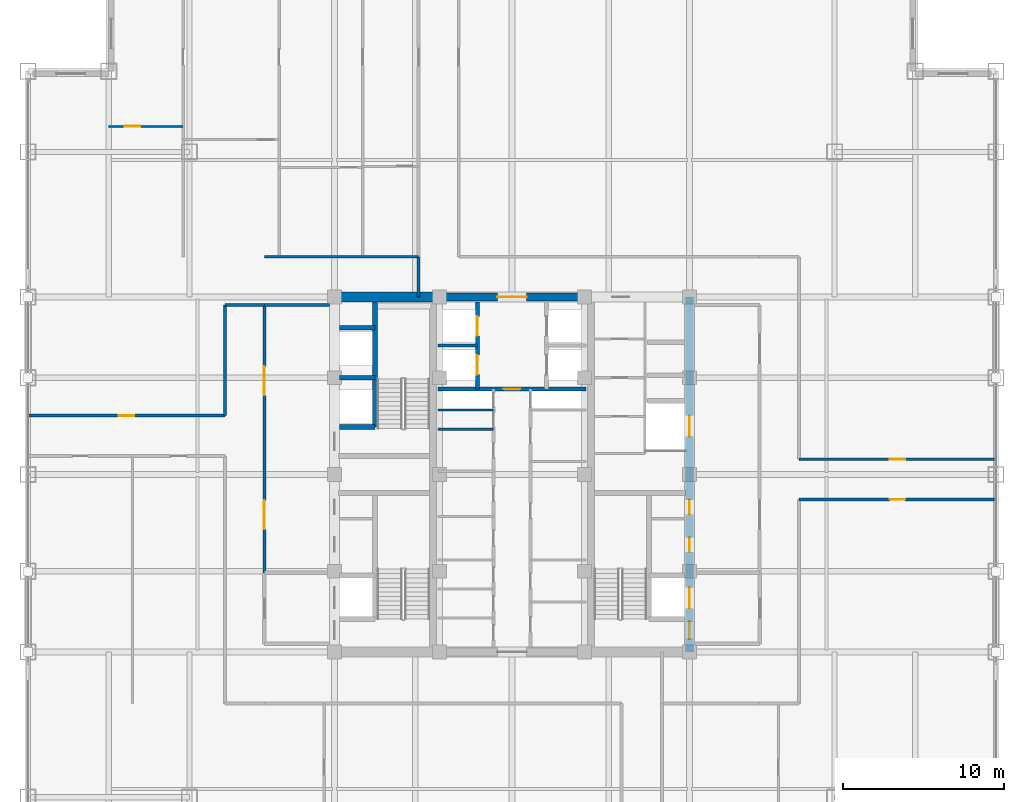
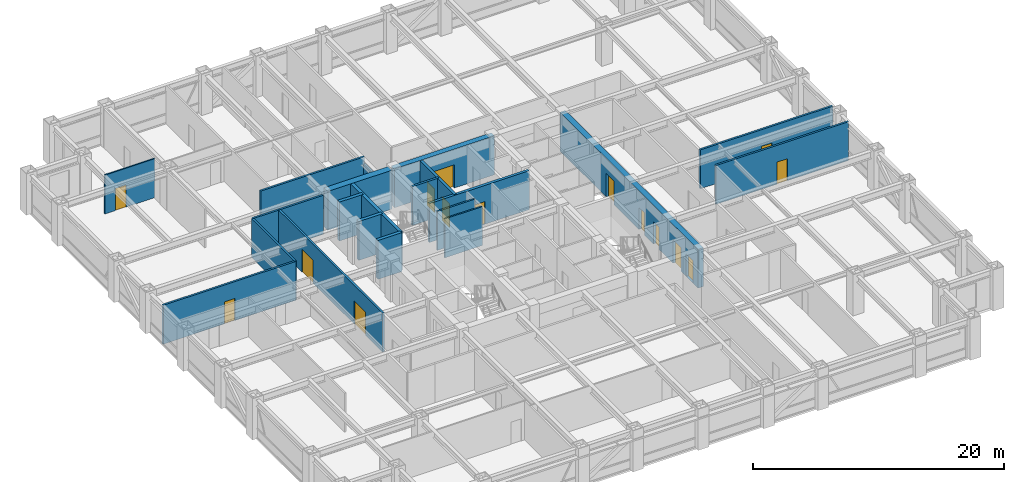
# One storey, part 22 of 29: 22 walls, 15 doors, 15 openings.
"""IFC4 building model written with IfcOpenShell, lengths in metres."""

from ifc_helpers import new_model, si_unit, direction, frame, frame_2d, origin, place, context, subcontext, project, spatial, rectangle, extrude, source, transform, mapped, material, layer, layer_set, type_object, element, fill, save


model = new_model("IFC4")

# Units and contexts
model_context = context("Model", 3, precision=1e-05, world=origin(), true_north=direction((0.0, 1.0)))
body_context = subcontext(model_context, "Body", "Model", "MODEL_VIEW")
ifc_project = project(units=[si_unit("LENGTHUNIT", "METRE"), si_unit("AREAUNIT", "SQUARE_METRE"), si_unit("VOLUMEUNIT", "CUBIC_METRE"), si_unit("PLANEANGLEUNIT", "RADIAN"), si_unit("MASSUNIT", "GRAM", prefix="KILO")], contexts=[model_context])

# Site, building, storey
site_placement = place(None, origin())
site = spatial("IfcSite", under=ifc_project, at=site_placement, CompositionType="ELEMENT")
building_placement = place(site_placement, origin())
building = spatial("IfcBuilding", under=site, at=building_placement, Name="Khorayat Bourse Tower", CompositionType="ELEMENT")
storey_placement = place(building_placement, frame((0.0, 0.0, 243.10009765625)))
storey = spatial("IfcBuildingStorey", under=building, at=storey_placement, Name="L57", CompositionType="ELEMENT", Elevation=243.10009765625)

# Wall, opening, door
ifc_material_1 = material(Name="Concrete C52/65", Category="concrete")
ifc_layer_1 = layer(ifc_material_1, 0.5)
ifc_layer_set_1 = layer_set([ifc_layer_1], Name="Concrete C52/65")
wall_type_1 = type_object("IfcWallType", Name="WAL-CORE-500", PredefinedType="SHEAR", material=ifc_layer_set_1)
shared_shape_1 = source(origin(), body_context, "Body", "SweptSolid", [
    extrude(rectangle(XDim=9.2001953125, YDim=0.5, at=frame_2d((4.60009765625, 0.0))), origin(), (0.0, 0.0, 1.0), 3.77978515625),
])
wall_1_placement = place(storey_placement, frame((-4.60009765625, 11.0, 0.0), z_axis=(0.0, 0.0, 1.0), x_axis=(1.0, 0.0, 0.0)))
wall_1 = element("IfcWall", 1, at=wall_1_placement, inside=storey, type_object=wall_type_1, Name="L57 Core Shear Wall CORE-N", PredefinedType="SHEAR", context=body_context, shape_type="MappedRepresentation", body=[
    mapped(shared_shape_1, transform((0.0, 0.0, 0.0), scale=1.0)),
])
shared_shape_2 = source(origin(), body_context, "Body", "SweptSolid", [
    extrude(rectangle(XDim=1.800048828125, YDim=2.25, at=frame_2d((0.89990234375, 1.125))), frame((0.0, 0.260009765625, 0.0), z_axis=(0.0, -1.0, 0.0), x_axis=(1.0, 0.0, 0.0)), (0.0, 0.0, 1.0), 0.52001953125),
])
opening_1_placement = place(wall_1_placement, frame((3.699951171875, 0.0, 0.0)))
opening_1 = element("IfcOpeningElement", 2, at=opening_1_placement, cuts=wall_1, Name="Opening DI-03", PredefinedType="OPENING", context=body_context, shape_type="MappedRepresentation", body=[
    mapped(shared_shape_2, transform((0.0, 0.0, 0.0), scale=1.0)),
])
ifc_material_2 = material(Name="Fire-rated hardwood vision-panel double leaf", Category="wood")
door_type_1 = type_object("IfcDoorType", Name="DR-INT-CORR-1800", OperationType="NOTDEFINED", PredefinedType="DOOR", material=ifc_material_2)
shared_shape_3 = source(origin(), body_context, "Body", "SweptSolid", [
    extrude(rectangle(XDim=1.800048828125, YDim=2.25, at=frame_2d((0.89990234375, 1.125))), frame((0.0, 0.02490234375, 0.0), z_axis=(0.0, -1.0, 0.0), x_axis=(1.0, 0.0, 0.0)), (0.0, 0.0, 1.0), 0.050048828125),
])
door_1_placement = place(opening_1_placement, origin())
door_1 = element("IfcDoor", 3, at=door_1_placement, inside=storey, type_object=door_type_1, Name="L57 Mid-Rise Lift Lobby Door", OperationType="SINGLE_SWING_RIGHT", OverallHeight=2.25, OverallWidth=1.800048828125, PredefinedType="DOOR", context=body_context, shape_type="MappedRepresentation", body=[
    mapped(shared_shape_3, transform((0.0, 0.0, 0.0), scale=1.0)),
])
fill(opening_1, door_1)

# Wall, openings, doors
shared_shape_4 = source(origin(), body_context, "Body", "SweptSolid", [
    extrude(rectangle(XDim=22.0, YDim=0.5, at=frame_2d((11.0, 0.0))), origin(), (0.0, 0.0, 1.0), 3.77978515625),
])
wall_2_placement = place(storey_placement, frame((11.0, -11.0, 0.0), z_axis=(0.0, 0.0, 1.0), x_axis=(0.0, 1.0, 0.0)))
wall_2 = element("IfcWall", 4, at=wall_2_placement, inside=storey, type_object=wall_type_1, Name="L57 Core Shear Wall CORE-E", PredefinedType="SHEAR", context=body_context, shape_type="MappedRepresentation", body=[
    mapped(shared_shape_4, transform((0.0, 0.0, 0.0), scale=1.0)),
])
shared_shape_5 = source(origin(), body_context, "Body", "SweptSolid", [
    extrude(rectangle(XDim=1.10009765625, YDim=2.199951171875, at=frame_2d((0.550048828125, 1.10009765625))), frame((0.0, 0.260009765625, 0.0), z_axis=(0.0, -1.0, 0.0), x_axis=(1.0, 0.0, 0.0)), (0.0, 0.0, 1.0), 0.52001953125),
])
opening_2_placement = place(wall_2_placement, frame((0.800048828125, 0.0, 0.0)))
opening_2 = element("IfcOpeningElement", 5, at=opening_2_placement, cuts=wall_2, Name="Opening DI-01", PredefinedType="OPENING", context=body_context, shape_type="MappedRepresentation", body=[
    mapped(shared_shape_5, transform((0.0, 0.0, 0.0), scale=1.0)),
])
shared_shape_6 = source(origin(), body_context, "Body", "SweptSolid", [
    extrude(rectangle(XDim=0.89990234375, YDim=2.14990234375, at=frame_2d((0.449951171875, 1.074951171875))), frame((0.0, 0.260009765625, 0.0), z_axis=(0.0, -1.0, 0.0), x_axis=(1.0, 0.0, 0.0)), (0.0, 0.0, 1.0), 0.52001953125),
])
opening_3_placement = place(wall_2_placement, frame((6.199951171875, 0.0, 0.0)))
opening_3 = element("IfcOpeningElement", 6, at=opening_3_placement, cuts=wall_2, Name="Opening DI-06", PredefinedType="OPENING", context=body_context, shape_type="MappedRepresentation", body=[
    mapped(shared_shape_6, transform((0.0, 0.0, 0.0), scale=1.0)),
])
opening_4_placement = place(wall_2_placement, frame((8.52490234375, 0.0, 0.0)))
opening_4 = element("IfcOpeningElement", 7, at=opening_4_placement, cuts=wall_2, Name="Opening DI-06", PredefinedType="OPENING", context=body_context, shape_type="MappedRepresentation", body=[
    mapped(shared_shape_6, transform((0.0, 0.0, 0.0), scale=1.0)),
])
shared_shape_7 = source(origin(), body_context, "Body", "SweptSolid", [
    extrude(rectangle(XDim=1.300048828125, YDim=2.300048828125, at=frame_2d((0.64990234375, 1.14990234375))), frame((0.0, 0.260009765625, 0.0), z_axis=(0.0, -1.0, 0.0), x_axis=(1.0, 0.0, 0.0)), (0.0, 0.0, 1.0), 0.52001953125),
])
opening_5_placement = place(wall_2_placement, frame((2.699951171875, 0.0, 0.0)))
opening_5 = element("IfcOpeningElement", 8, at=opening_5_placement, cuts=wall_2, Name="Opening LD-02", PredefinedType="OPENING", context=body_context, shape_type="MappedRepresentation", body=[
    mapped(shared_shape_7, transform((0.0, 0.0, 0.0), scale=1.0)),
])
opening_6_placement = place(wall_2_placement, frame((13.35009765625, 0.0, 0.0)))
opening_6 = element("IfcOpeningElement", 9, at=opening_6_placement, cuts=wall_2, Name="Opening LD-02", PredefinedType="OPENING", context=body_context, shape_type="MappedRepresentation", body=[
    mapped(shared_shape_7, transform((0.0, 0.0, 0.0), scale=1.0)),
])
ifc_material_3 = material(Name="Fire-rated steel acoustic leaf", Category="steel")
door_type_2 = type_object("IfcDoorType", Name="DR-INT-STAIR-1100", OperationType="NOTDEFINED", PredefinedType="DOOR", material=ifc_material_3)
shared_shape_8 = source(origin(), body_context, "Body", "SweptSolid", [
    extrude(rectangle(XDim=1.10009765625, YDim=2.199951171875, at=frame_2d((0.550048828125, 1.10009765625))), frame((0.0, 0.02490234375, 0.0), z_axis=(0.0, -1.0, 0.0), x_axis=(1.0, 0.0, 0.0)), (0.0, 0.0, 1.0), 0.050048828125),
])
door_2_placement = place(opening_2_placement, origin())
door_2 = element("IfcDoor", 10, at=door_2_placement, inside=storey, type_object=door_type_2, Name="L57 Exit Stair 3 Door", OperationType="SINGLE_SWING_LEFT", OverallHeight=2.199951171875, OverallWidth=1.10009765625, PredefinedType="DOOR", context=body_context, shape_type="MappedRepresentation", body=[
    mapped(shared_shape_8, transform((0.0, 0.0, 0.0), scale=1.0)),
])
fill(opening_2, door_2)
ifc_material_4 = material(Name="Moisture-resistant laminate washroom door")
door_type_3 = type_object("IfcDoorType", Name="DR-INT-WC-900", OperationType="NOTDEFINED", PredefinedType="DOOR", material=ifc_material_4)
shared_shape_9 = source(origin(), body_context, "Body", "SweptSolid", [
    extrude(rectangle(XDim=0.89990234375, YDim=2.14990234375, at=frame_2d((0.449951171875, 1.074951171875))), frame((0.0, 0.02490234375, 0.0), z_axis=(0.0, -1.0, 0.0), x_axis=(1.0, 0.0, 0.0)), (0.0, 0.0, 1.0), 0.050048828125),
])
door_3_placement = place(opening_3_placement, origin())
door_3 = element("IfcDoor", 11, at=door_3_placement, inside=storey, type_object=door_type_3, Name="L57 Telecom Closet Door", OperationType="SINGLE_SWING_LEFT", OverallHeight=2.14990234375, OverallWidth=0.89990234375, PredefinedType="DOOR", context=body_context, shape_type="MappedRepresentation", body=[
    mapped(shared_shape_9, transform((0.0, 0.0, 0.0), scale=1.0)),
])
fill(opening_3, door_3)
door_4_placement = place(opening_4_placement, origin())
door_4 = element("IfcDoor", 12, at=door_4_placement, inside=storey, type_object=door_type_3, Name="L57 Stationery Store Door", OperationType="SINGLE_SWING_RIGHT", OverallHeight=2.14990234375, OverallWidth=0.89990234375, PredefinedType="DOOR", context=body_context, shape_type="MappedRepresentation", body=[
    mapped(shared_shape_9, transform((0.0, 0.0, 0.0), scale=1.0)),
])
fill(opening_4, door_4)
ifc_material_5 = material(Name="Fire-rated stainless-steel sliding landing door", Category="steel")
door_type_4 = type_object("IfcDoorType", Name="DR-LIFT-FF-1300", OperationType="NOTDEFINED", PredefinedType="DOOR", material=ifc_material_5)
shared_shape_10 = source(origin(), body_context, "Body", "SweptSolid", [
    extrude(rectangle(XDim=1.300048828125, YDim=2.300048828125, at=frame_2d((0.64990234375, 1.14990234375))), frame((0.0, 0.02490234375, 0.0), z_axis=(0.0, -1.0, 0.0), x_axis=(1.0, 0.0, 0.0)), (0.0, 0.0, 1.0), 0.050048828125),
])
door_5_placement = place(opening_5_placement, origin())
door_5 = element("IfcDoor", 13, at=door_5_placement, inside=storey, type_object=door_type_4, Name="L57 Lift FFL-02 Sliding Landing Door", OperationType="SLIDING_TO_LEFT", OverallHeight=2.300048828125, OverallWidth=1.300048828125, PredefinedType="DOOR", context=body_context, shape_type="MappedRepresentation", body=[
    mapped(shared_shape_10, transform((0.0, 0.0, 0.0), scale=1.0)),
])
fill(opening_5, door_5)
door_6_placement = place(opening_6_placement, origin())
door_6 = element("IfcDoor", 14, at=door_6_placement, inside=storey, type_object=door_type_4, Name="L57 Lift SVL-01 Sliding Landing Door", OperationType="SLIDING_TO_LEFT", OverallHeight=2.300048828125, OverallWidth=1.300048828125, PredefinedType="DOOR", context=body_context, shape_type="MappedRepresentation", body=[
    mapped(shared_shape_10, transform((0.0, 0.0, 0.0), scale=1.0)),
])
fill(opening_6, door_6)

# Walls
ifc_material_6 = material(Name="Concrete C60/75", Category="concrete")
ifc_layer_2 = layer(ifc_material_6, 0.60009765625)
ifc_layer_set_2 = layer_set([ifc_layer_2], Name="Concrete C60/75")
wall_type_2 = type_object("IfcWallType", Name="WAL-CORE-600", PredefinedType="SHEAR", material=ifc_layer_set_2)
shared_shape_11 = source(origin(), body_context, "Body", "SweptSolid", [
    extrude(rectangle(XDim=5.89990234375, YDim=0.60009765625, at=frame_2d((2.949951171875, 0.0))), origin(), (0.0, 0.0, 1.0), 3.77978515625),
])
wall_3_placement = place(storey_placement, frame((-10.75, 11.0, 0.0), z_axis=(0.0, 0.0, 1.0), x_axis=(1.0, 0.0, 0.0)))
element("IfcWall", 15, at=wall_3_placement, inside=storey, type_object=wall_type_2, Name="L57 Core Shear Wall PIER-WN", PredefinedType="SHEAR", context=body_context, shape_type="MappedRepresentation", body=[
    mapped(shared_shape_11, transform((0.0, 0.0, 0.0), scale=1.0)),
])
ifc_material_7 = material(Name="Concrete C50/60", Category="concrete")
ifc_layer_3 = layer(ifc_material_7, 0.300048828125)
ifc_layer_set_3 = layer_set([ifc_layer_3], Name="Concrete C50/60")
wall_type_3 = type_object("IfcWallType", Name="WAL-SHAFT-300", PredefinedType="SHEAR", material=ifc_layer_set_3)
shared_shape_12 = source(origin(), body_context, "Body", "SweptSolid", [
    extrude(rectangle(XDim=2.199951171875, YDim=0.300048828125, at=frame_2d((1.10009765625, 0.0))), origin(), (0.0, 0.0, 1.0), 3.77978515625),
])
for number, where, z_axis, x_axis, name in (
    (16, (-10.699951171875, 2.949951171875, 0.0), (0.0, 0.0, 1.0), (1.0, 0.0, 0.0), "L57 Partition WAL-L57-WPIER-H1S"),
    (17, (-10.699951171875, 6.0, 0.0), (0.0, 0.0, 1.0), (1.0, 0.0, 0.0), "L57 Partition WAL-L57-WPIER-H12"),
    (18, (-10.699951171875, 9.10009765625, 0.0), (0.0, 0.0, 1.0), (1.0, 0.0, 0.0), "L57 Partition WAL-L57-WPIER-H2N"),
):
    element("IfcWall", number, at=place(storey_placement, frame(where, z_axis=z_axis, x_axis=x_axis)), inside=storey, type_object=wall_type_3, Name=name, PredefinedType="SHEAR", context=body_context, shape_type="MappedRepresentation", body=[
        mapped(shared_shape_12, transform((0.0, 0.0, 0.0), scale=1.0)),
    ])
shared_shape_13 = source(origin(), body_context, "Body", "SweptSolid", [
    extrude(rectangle(XDim=7.75, YDim=0.300048828125, at=frame_2d((3.875, 0.0))), origin(), (0.0, 0.0, 1.0), 3.77978515625),
])
wall_4_placement = place(storey_placement, frame((-8.5, 2.949951171875, 0.0), z_axis=(0.0, 0.0, 1.0), x_axis=(0.0, 1.0, 0.0)))
element("IfcWall", 19, at=wall_4_placement, inside=storey, type_object=wall_type_3, Name="L57 Partition WAL-L57-WPIER-ST2S", PredefinedType="SHEAR", context=body_context, shape_type="MappedRepresentation", body=[
    mapped(shared_shape_13, transform((0.0, 0.0, 0.0), scale=1.0)),
])
ifc_material_8 = material(Name="Gypsum plasterboard acoustic stud wall")
ifc_layer_4 = layer(ifc_material_8, 0.179931640625)
ifc_layer_set_4 = layer_set([ifc_layer_4], Name="Gypsum plasterboard acoustic stud wall")
wall_type_4 = type_object("IfcWallType", Name="WAL-PART-CORR-180", PredefinedType="PARTITIONING", material=ifc_layer_set_4)
shared_shape_14 = source(origin(), body_context, "Body", "SweptSolid", [
    extrude(rectangle(XDim=4.050048828125, YDim=0.179931640625, at=frame_2d((2.02490234375, 0.0))), origin(), (0.0, 0.0, 1.0), 3.77978515625),
])
wall_5_placement = place(storey_placement, frame((-15.35009765625, 10.5, 0.0), z_axis=(0.0, 0.0, 1.0), x_axis=(1.0, 0.0, 0.0)))
element("IfcWall", 20, at=wall_5_placement, inside=storey, type_object=wall_type_4, Name="L57 Partition WAL-L57-WLOB-N", PredefinedType="PARTITIONING", context=body_context, shape_type="MappedRepresentation", body=[
    mapped(shared_shape_14, transform((0.0, 0.0, 0.0), scale=1.0)),
])

# Wall, openings, doors
shared_shape_15 = source(origin(), body_context, "Body", "SweptSolid", [
    extrude(rectangle(XDim=16.60009765625, YDim=0.179931640625, at=frame_2d((8.300048828125, 0.0))), origin(), (0.0, 0.0, 1.0), 3.77978515625),
])
wall_6_placement = place(storey_placement, frame((-15.35009765625, -6.10009765625, 0.0), z_axis=(0.0, 0.0, 1.0), x_axis=(0.0, 1.0, 0.0)))
wall_6 = element("IfcWall", 21, at=wall_6_placement, inside=storey, type_object=wall_type_4, Name="L57 Partition WAL-L57-WLOB-W", PredefinedType="PARTITIONING", context=body_context, shape_type="MappedRepresentation", body=[
    mapped(shared_shape_15, transform((0.0, 0.0, 0.0), scale=1.0)),
])
shared_shape_16 = source(origin(), body_context, "Body", "SweptSolid", [
    extrude(rectangle(XDim=1.800048828125, YDim=2.25, at=frame_2d((0.89990234375, 1.125))), frame((0.0, 0.099853515625, 0.0), z_axis=(0.0, -1.0, 0.0), x_axis=(1.0, 0.0, 0.0)), (0.0, 0.0, 1.0), 0.199951171875),
])
opening_7_placement = place(wall_6_placement, frame((2.699951171875, 0.0, 0.0)))
opening_7 = element("IfcOpeningElement", 22, at=opening_7_placement, cuts=wall_6, Name="Opening DI-03", PredefinedType="OPENING", context=body_context, shape_type="MappedRepresentation", body=[
    mapped(shared_shape_16, transform((0.0, 0.0, 0.0), scale=1.0)),
])
opening_8_placement = place(wall_6_placement, frame((11.0, 0.0, 0.0)))
opening_8 = element("IfcOpeningElement", 23, at=opening_8_placement, cuts=wall_6, Name="Opening DI-03", PredefinedType="OPENING", context=body_context, shape_type="MappedRepresentation", body=[
    mapped(shared_shape_16, transform((0.0, 0.0, 0.0), scale=1.0)),
])
door_7_placement = place(opening_7_placement, origin())
door_7 = element("IfcDoor", 24, at=door_7_placement, inside=storey, type_object=door_type_1, Name="L57 West Core Lobby South Door", OperationType="SINGLE_SWING_LEFT", OverallHeight=2.25, OverallWidth=1.800048828125, PredefinedType="DOOR", context=body_context, shape_type="MappedRepresentation", body=[
    mapped(shared_shape_3, transform((0.0, 0.0, 0.0), scale=1.0)),
])
fill(opening_7, door_7)
door_8_placement = place(opening_8_placement, origin())
door_8 = element("IfcDoor", 25, at=door_8_placement, inside=storey, type_object=door_type_1, Name="L57 West Core Lobby North Door", OperationType="SINGLE_SWING_RIGHT", OverallHeight=2.25, OverallWidth=1.800048828125, PredefinedType="DOOR", context=body_context, shape_type="MappedRepresentation", body=[
    mapped(shared_shape_3, transform((0.0, 0.0, 0.0), scale=1.0)),
])
fill(opening_8, door_8)

# Walls
ifc_material_9 = material(Name="Gypsum plasterboard twin-frame partition")
ifc_layer_5 = layer(ifc_material_9, 0.14990234375)
ifc_layer_set_5 = layer_set([ifc_layer_5], Name="Gypsum plasterboard twin-frame partition")
wall_type_5 = type_object("IfcWallType", Name="WAL-PART-SUITE-150", PredefinedType="PARTITIONING", material=ifc_layer_set_5)
shared_shape_17 = source(origin(), body_context, "Body", "SweptSolid", [
    extrude(rectangle(XDim=3.4501953125, YDim=0.14990234375, at=frame_2d((1.72509765625, 0.0))), origin(), (0.0, 0.0, 1.0), 3.77978515625),
])
wall_7_placement = place(storey_placement, frame((-4.60009765625, 4.0, 0.0), z_axis=(0.0, 0.0, 1.0), x_axis=(1.0, 0.0, 0.0)))
element("IfcWall", 26, at=wall_7_placement, inside=storey, type_object=wall_type_5, Name="L57 Partition WAL-L57-CRSW-S", PredefinedType="PARTITIONING", context=body_context, shape_type="MappedRepresentation", body=[
    mapped(shared_shape_17, transform((0.0, 0.0, 0.0), scale=1.0)),
])
ifc_material_10 = material(Name="Moisture-resistant masonry partition", Category="masonry")
ifc_layer_6 = layer(ifc_material_10, 0.139892578125)
ifc_layer_set_6 = layer_set([ifc_layer_6], Name="Moisture-resistant masonry partition")
wall_type_6 = type_object("IfcWallType", Name="WAL-PART-WET-140", PredefinedType="PARTITIONING", material=ifc_layer_set_6)
shared_shape_18 = source(origin(), body_context, "Body", "SweptSolid", [
    extrude(rectangle(XDim=3.4501953125, YDim=0.139892578125, at=frame_2d((1.72509765625, 0.0))), origin(), (0.0, 0.0, 1.0), 3.77978515625),
])
wall_8_placement = place(storey_placement, frame((-4.60009765625, 2.800048828125, 0.0), z_axis=(0.0, 0.0, 1.0), x_axis=(1.0, 0.0, 0.0)))
element("IfcWall", 27, at=wall_8_placement, inside=storey, type_object=wall_type_6, Name="L57 Partition WAL-L57-CMW-D3", PredefinedType="PARTITIONING", context=body_context, shape_type="MappedRepresentation", body=[
    mapped(shared_shape_18, transform((0.0, 0.0, 0.0), scale=1.0)),
])

# Wall, openings, doors
shared_shape_19 = source(origin(), body_context, "Body", "SweptSolid", [
    extrude(rectangle(XDim=5.39990234375, YDim=0.25, at=frame_2d((2.699951171875, 0.0))), origin(), (0.0, 0.0, 1.0), 3.77978515625),
])
wall_9_placement = place(storey_placement, frame((-2.14990234375, 5.300048828125, 0.0), z_axis=(0.0, 0.0, 1.0), x_axis=(0.0, 1.0, 0.0)))
wall_9 = element("IfcWall", 28, at=wall_9_placement, inside=storey, type_object=wall_type_3, Name="L57 Partition WAL-L57-B2-W", PredefinedType="SHEAR", context=body_context, shape_type="MappedRepresentation", body=[
    mapped(shared_shape_19, transform((0.0, 0.0, 0.0), scale=1.0)),
])
shared_shape_20 = source(origin(), body_context, "Body", "SweptSolid", [
    extrude(rectangle(XDim=1.199951171875, YDim=2.300048828125, at=frame_2d((0.60009765625, 1.14990234375))), frame((0.0, 0.135009765625, 0.0), z_axis=(0.0, -1.0, 0.0), x_axis=(1.0, 0.0, 0.0)), (0.0, 0.0, 1.0), 0.27001953125),
])
opening_9_placement = place(wall_9_placement, frame((3.300048828125, 0.0, 0.0)))
opening_9 = element("IfcOpeningElement", 29, at=opening_9_placement, cuts=wall_9, Name="Opening LD-01", PredefinedType="OPENING", context=body_context, shape_type="MappedRepresentation", body=[
    mapped(shared_shape_20, transform((0.0, 0.0, 0.0), scale=1.0)),
])
opening_10_placement = place(wall_9_placement, frame((0.89990234375, 0.0, 0.0)))
opening_10 = element("IfcOpeningElement", 30, at=opening_10_placement, cuts=wall_9, Name="Opening LD-01", PredefinedType="OPENING", context=body_context, shape_type="MappedRepresentation", body=[
    mapped(shared_shape_20, transform((0.0, 0.0, 0.0), scale=1.0)),
])
ifc_material_11 = material(Name="Brushed bronze stainless-steel sliding door", Category="steel")
door_type_5 = type_object("IfcDoorType", Name="DR-LIFT-PASS-1200", OperationType="NOTDEFINED", PredefinedType="DOOR", material=ifc_material_11)
shared_shape_21 = source(origin(), body_context, "Body", "SweptSolid", [
    extrude(rectangle(XDim=1.199951171875, YDim=2.300048828125, at=frame_2d((0.60009765625, 1.14990234375))), frame((0.0, 0.02490234375, 0.0), z_axis=(0.0, -1.0, 0.0), x_axis=(1.0, 0.0, 0.0)), (0.0, 0.0, 1.0), 0.050048828125),
])
door_9_placement = place(opening_9_placement, origin())
door_9 = element("IfcDoor", 31, at=door_9_placement, inside=storey, type_object=door_type_5, Name="L57 Lift PL-M1 Sliding Landing Door", OperationType="SLIDING_TO_LEFT", OverallHeight=2.300048828125, OverallWidth=1.199951171875, PredefinedType="DOOR", context=body_context, shape_type="MappedRepresentation", body=[
    mapped(shared_shape_21, transform((0.0, 0.0, 0.0), scale=1.0)),
])
fill(opening_9, door_9)
door_10_placement = place(opening_10_placement, origin())
door_10 = element("IfcDoor", 32, at=door_10_placement, inside=storey, type_object=door_type_5, Name="L57 Lift PL-M3 Sliding Landing Door", OperationType="SLIDING_TO_LEFT", OverallHeight=2.300048828125, OverallWidth=1.199951171875, PredefinedType="DOOR", context=body_context, shape_type="MappedRepresentation", body=[
    mapped(shared_shape_21, transform((0.0, 0.0, 0.0), scale=1.0)),
])
fill(opening_10, door_10)

# Wall
shared_shape_22 = source(origin(), body_context, "Body", "SweptSolid", [
    extrude(rectangle(XDim=2.4501953125, YDim=0.199951171875, at=frame_2d((1.22509765625, 0.0))), origin(), (0.0, 0.0, 1.0), 3.77978515625),
])
wall_10_placement = place(storey_placement, frame((-4.60009765625, 8.0, 0.0), z_axis=(0.0, 0.0, 1.0), x_axis=(1.0, 0.0, 0.0)))
element("IfcWall", 33, at=wall_10_placement, inside=storey, type_object=wall_type_3, Name="L57 Partition WAL-L57-B2-MW", PredefinedType="SHEAR", context=body_context, shape_type="MappedRepresentation", body=[
    mapped(shared_shape_22, transform((0.0, 0.0, 0.0), scale=1.0)),
])

# Wall, opening, door
shared_shape_23 = source(origin(), body_context, "Body", "SweptSolid", [
    extrude(rectangle(XDim=9.2001953125, YDim=0.25, at=frame_2d((4.60009765625, 0.0))), origin(), (0.0, 0.0, 1.0), 3.77978515625),
])
wall_11_placement = place(storey_placement, frame((-4.60009765625, 5.300048828125, 0.0), z_axis=(0.0, 0.0, 1.0), x_axis=(1.0, 0.0, 0.0)))
wall_11 = element("IfcWall", 34, at=wall_11_placement, inside=storey, type_object=wall_type_3, Name="L57 Partition WAL-L57-B2-S", PredefinedType="SHEAR", context=body_context, shape_type="MappedRepresentation", body=[
    mapped(shared_shape_23, transform((0.0, 0.0, 0.0), scale=1.0)),
])
shared_shape_24 = source(origin(), body_context, "Body", "SweptSolid", [
    extrude(rectangle(XDim=1.050048828125, YDim=2.199951171875, at=frame_2d((0.52490234375, 1.10009765625))), frame((0.0, 0.135009765625, 0.0), z_axis=(0.0, -1.0, 0.0), x_axis=(1.0, 0.0, 0.0)), (0.0, 0.0, 1.0), 0.27001953125),
])
opening_11_placement = place(wall_11_placement, frame((4.074951171875, 0.0, 0.0)))
opening_11 = element("IfcOpeningElement", 35, at=opening_11_placement, cuts=wall_11, Name="Opening DI-04", PredefinedType="OPENING", context=body_context, shape_type="MappedRepresentation", body=[
    mapped(shared_shape_24, transform((0.0, 0.0, 0.0), scale=1.0)),
])
ifc_material_12 = material(Name="Fire-rated oak veneer suite entrance door")
door_type_6 = type_object("IfcDoorType", Name="DR-INT-SUITE-1050", OperationType="NOTDEFINED", PredefinedType="DOOR", material=ifc_material_12)
shared_shape_25 = source(origin(), body_context, "Body", "SweptSolid", [
    extrude(rectangle(XDim=1.050048828125, YDim=2.199951171875, at=frame_2d((0.52490234375, 1.10009765625))), frame((0.0, 0.02490234375, 0.0), z_axis=(0.0, -1.0, 0.0), x_axis=(1.0, 0.0, 0.0)), (0.0, 0.0, 1.0), 0.050048828125),
])
door_11_placement = place(opening_11_placement, origin())
door_11 = element("IfcDoor", 36, at=door_11_placement, inside=storey, type_object=door_type_6, Name="L57 Core Spine North Door", OperationType="SINGLE_SWING_RIGHT", OverallHeight=2.199951171875, OverallWidth=1.050048828125, PredefinedType="DOOR", context=body_context, shape_type="MappedRepresentation", body=[
    mapped(shared_shape_25, transform((0.0, 0.0, 0.0), scale=1.0)),
])
fill(opening_11, door_11)

# Wall
shared_shape_26 = source(origin(), body_context, "Body", "SweptSolid", [
    extrude(rectangle(XDim=2.449951171875, YDim=0.179931640625, at=frame_2d((1.22509765625, 0.0))), origin(), (0.0, 0.0, 1.0), 3.77978515625),
])
wall_12_placement = place(storey_placement, frame((-17.800048828125, 10.5, 0.0), z_axis=(0.0, 0.0, 1.0), x_axis=(1.0, 0.0, 0.0)))
element("IfcWall", 37, at=wall_12_placement, inside=storey, type_object=wall_type_4, Name="L57 Partition WAL-L57-C2-WN", PredefinedType="PARTITIONING", context=body_context, shape_type="MappedRepresentation", body=[
    mapped(shared_shape_26, transform((0.0, 0.0, 0.0), scale=1.0)),
])

# Wall, opening, door
shared_shape_27 = source(origin(), body_context, "Body", "SweptSolid", [
    extrude(rectangle(XDim=12.199951171875, YDim=0.179931640625, at=frame_2d((6.10009765625, 0.0))), origin(), (0.0, 0.0, 1.0), 3.77978515625),
])
wall_13_placement = place(storey_placement, frame((-30.0, 3.64990234375, 0.0), z_axis=(0.0, 0.0, 1.0), x_axis=(1.0, 0.0, 0.0)))
wall_13 = element("IfcWall", 38, at=wall_13_placement, inside=storey, type_object=wall_type_4, Name="L57 Partition WAL-L57-WN-SPK", PredefinedType="PARTITIONING", context=body_context, shape_type="MappedRepresentation", body=[
    mapped(shared_shape_27, transform((0.0, 0.0, 0.0), scale=1.0)),
])
shared_shape_28 = source(origin(), body_context, "Body", "SweptSolid", [
    extrude(rectangle(XDim=0.949951171875, YDim=2.14990234375, at=frame_2d((0.47509765625, 1.074951171875))), frame((0.0, 0.099853515625, 0.0), z_axis=(0.0, -1.0, 0.0), x_axis=(1.0, 0.0, 0.0)), (0.0, 0.0, 1.0), 0.199951171875),
])
opening_12_placement = place(wall_13_placement, frame((5.625, 0.0, 0.0)))
opening_12 = element("IfcOpeningElement", 39, at=opening_12_placement, cuts=wall_13, Name="Opening DI-05", PredefinedType="OPENING", context=body_context, shape_type="MappedRepresentation", body=[
    mapped(shared_shape_28, transform((0.0, 0.0, 0.0), scale=1.0)),
])
ifc_material_13 = material(Name="Acoustic oak veneer office door")
door_type_7 = type_object("IfcDoorType", Name="DR-INT-OFFICE-950", OperationType="NOTDEFINED", PredefinedType="DOOR", material=ifc_material_13)
shared_shape_29 = source(origin(), body_context, "Body", "SweptSolid", [
    extrude(rectangle(XDim=0.949951171875, YDim=2.14990234375, at=frame_2d((0.47509765625, 1.074951171875))), frame((0.0, 0.02490234375, 0.0), z_axis=(0.0, -1.0, 0.0), x_axis=(1.0, 0.0, 0.0)), (0.0, 0.0, 1.0), 0.050048828125),
])
door_12_placement = place(opening_12_placement, origin())
door_12 = element("IfcDoor", 40, at=door_12_placement, inside=storey, type_object=door_type_7, Name="L57 Equities Trading Desk WN Door", OperationType="SINGLE_SWING_LEFT", OverallHeight=2.14990234375, OverallWidth=0.949951171875, PredefinedType="DOOR", context=body_context, shape_type="MappedRepresentation", body=[
    mapped(shared_shape_29, transform((0.0, 0.0, 0.0), scale=1.0)),
])
fill(opening_12, door_12)

wall_14_placement = place(storey_placement, frame((17.800048828125, -1.550048828125, 0.0), z_axis=(0.0, 0.0, 1.0), x_axis=(1.0, 0.0, 0.0)))
wall_14 = element("IfcWall", 41, at=wall_14_placement, inside=storey, type_object=wall_type_4, Name="L57 Partition WAL-L57-ES-SPK", PredefinedType="PARTITIONING", context=body_context, shape_type="MappedRepresentation", body=[
    mapped(shared_shape_27, transform((0.0, 0.0, 0.0), scale=1.0)),
])
opening_13_placement = place(wall_14_placement, frame((5.625, 0.0, 0.0)))
opening_13 = element("IfcOpeningElement", 42, at=opening_13_placement, cuts=wall_14, Name="Opening DI-05", PredefinedType="OPENING", context=body_context, shape_type="MappedRepresentation", body=[
    mapped(shared_shape_28, transform((0.0, 0.0, 0.0), scale=1.0)),
])
door_13_placement = place(opening_13_placement, origin())
door_13 = element("IfcDoor", 43, at=door_13_placement, inside=storey, type_object=door_type_7, Name="L57 Staff Tea Pantry ES Door", OperationType="SINGLE_SWING_LEFT", OverallHeight=2.14990234375, OverallWidth=0.949951171875, PredefinedType="DOOR", context=body_context, shape_type="MappedRepresentation", body=[
    mapped(shared_shape_29, transform((0.0, 0.0, 0.0), scale=1.0)),
])
fill(opening_13, door_13)

wall_15_placement = place(storey_placement, frame((17.800048828125, 0.949951171875, 0.0), z_axis=(0.0, 0.0, 1.0), x_axis=(1.0, 0.0, 0.0)))
wall_15 = element("IfcWall", 44, at=wall_15_placement, inside=storey, type_object=wall_type_4, Name="L57 Partition WAL-L57-EN-SPK", PredefinedType="PARTITIONING", context=body_context, shape_type="MappedRepresentation", body=[
    mapped(shared_shape_27, transform((0.0, 0.0, 0.0), scale=1.0)),
])
opening_14_placement = place(wall_15_placement, frame((5.625, 0.0, 0.0)))
opening_14 = element("IfcOpeningElement", 45, at=opening_14_placement, cuts=wall_15, Name="Opening DI-05", PredefinedType="OPENING", context=body_context, shape_type="MappedRepresentation", body=[
    mapped(shared_shape_28, transform((0.0, 0.0, 0.0), scale=1.0)),
])
door_14_placement = place(opening_14_placement, origin())
door_14 = element("IfcDoor", 46, at=door_14_placement, inside=storey, type_object=door_type_7, Name="L57 Clearing Operations Office EN Door", OperationType="SINGLE_SWING_LEFT", OverallHeight=2.14990234375, OverallWidth=0.949951171875, PredefinedType="DOOR", context=body_context, shape_type="MappedRepresentation", body=[
    mapped(shared_shape_29, transform((0.0, 0.0, 0.0), scale=1.0)),
])
fill(opening_14, door_14)

# Walls
shared_shape_30 = source(origin(), body_context, "Body", "SweptSolid", [
    extrude(rectangle(XDim=9.550048828125, YDim=0.179931640625, at=frame_2d((4.77490234375, 0.0))), origin(), (0.0, 0.0, 1.0), 3.77978515625),
])
wall_16_placement = place(storey_placement, frame((-15.35009765625, 13.5, 0.0), z_axis=(0.0, 0.0, 1.0), x_axis=(1.0, 0.0, 0.0)))
element("IfcWall", 47, at=wall_16_placement, inside=storey, type_object=wall_type_4, Name="L57 Partition WAL-L57-QNW-HC", PredefinedType="PARTITIONING", context=body_context, shape_type="MappedRepresentation", body=[
    mapped(shared_shape_30, transform((0.0, 0.0, 0.0), scale=1.0)),
])
shared_shape_31 = source(origin(), body_context, "Body", "SweptSolid", [
    extrude(rectangle(XDim=2.5, YDim=0.179931640625, at=frame_2d((1.25, 0.0))), origin(), (0.0, 0.0, 1.0), 3.0849609375),
])
wall_17_placement = place(storey_placement, frame((-5.800048828125, 11.0, 0.0), z_axis=(0.0, 0.0, 1.0), x_axis=(0.0, 1.0, 0.0)))
element("IfcWall", 48, at=wall_17_placement, inside=storey, type_object=wall_type_4, Name="L57 Partition WAL-L57-C2-NCW", PredefinedType="PARTITIONING", context=body_context, shape_type="MappedRepresentation", body=[
    mapped(shared_shape_31, transform((0.0, 0.0, 0.0), scale=1.0)),
])

# Wall, opening, door
ifc_material_14 = material(Name="Gypsum plasterboard partition")
ifc_layer_7 = layer(ifc_material_14, 0.125)
ifc_layer_set_7 = layer_set([ifc_layer_7], Name="Gypsum plasterboard partition")
wall_type_7 = type_object("IfcWallType", Name="WAL-PART-ROOM-125", PredefinedType="PARTITIONING", material=ifc_layer_set_7)
shared_shape_32 = source(origin(), body_context, "Body", "SweptSolid", [
    extrude(rectangle(XDim=4.60791015625, YDim=0.125, at=frame_2d((2.303955078125, 0.0))), origin(), (0.0, 0.0, 1.0), 3.77978515625),
])
wall_18_placement = place(storey_placement, frame((-25.0, 21.5849609375, 0.0), z_axis=(0.0, 0.0, 1.0), x_axis=(1.0, 0.0, 0.0)))
wall_18 = element("IfcWall", 49, at=wall_18_placement, inside=storey, type_object=wall_type_7, Name="L57 Partition WAL-L57-QNWDP-1", PredefinedType="PARTITIONING", context=body_context, shape_type="MappedRepresentation", body=[
    mapped(shared_shape_32, transform((0.0, 0.0, 0.0), scale=1.0)),
])
shared_shape_33 = source(origin(), body_context, "Body", "SweptSolid", [
    extrude(rectangle(XDim=0.949951171875, YDim=2.14990234375, at=frame_2d((0.47509765625, 1.074951171875))), frame((0.0, 0.072509765625, 0.0), z_axis=(0.0, -1.0, 0.0), x_axis=(1.0, 0.0, 0.0)), (0.0, 0.0, 1.0), 0.14501953125),
])
opening_15_placement = place(wall_18_placement, frame((0.99951171875, 0.0, 0.0)))
opening_15 = element("IfcOpeningElement", 50, at=opening_15_placement, cuts=wall_18, Name="Opening DI-05", PredefinedType="OPENING", context=body_context, shape_type="MappedRepresentation", body=[
    mapped(shared_shape_33, transform((0.0, 0.0, 0.0), scale=1.0)),
])
door_15_placement = place(opening_15_placement, origin())
door_15 = element("IfcDoor", 51, at=door_15_placement, inside=storey, type_object=door_type_7, Name="L57 North-West Staff Tea Pantry 1B Door", OperationType="SINGLE_SWING_RIGHT", OverallHeight=2.14990234375, OverallWidth=0.949951171875, PredefinedType="DOOR", context=body_context, shape_type="MappedRepresentation", body=[
    mapped(shared_shape_29, transform((0.0, 0.0, 0.0), scale=1.0)),
])
fill(opening_15, door_15)

# Wall
shared_shape_34 = source(origin(), body_context, "Body", "SweptSolid", [
    extrude(rectangle(XDim=6.85009765625, YDim=0.179931640625, at=frame_2d((3.425048828125, 0.0))), origin(), (0.0, 0.0, 1.0), 3.77978515625),
])
wall_19_placement = place(storey_placement, frame((-17.800048828125, 3.64990234375, 0.0), z_axis=(0.0, 0.0, 1.0), x_axis=(0.0, 1.0, 0.0)))
element("IfcWall", 52, at=wall_19_placement, inside=storey, type_object=wall_type_4, Name="L57 Partition WAL-L57-WN-IN", PredefinedType="PARTITIONING", context=body_context, shape_type="MappedRepresentation", body=[
    mapped(shared_shape_34, transform((0.0, 0.0, 0.0), scale=1.0)),
])

save(model, "model.ifc")
